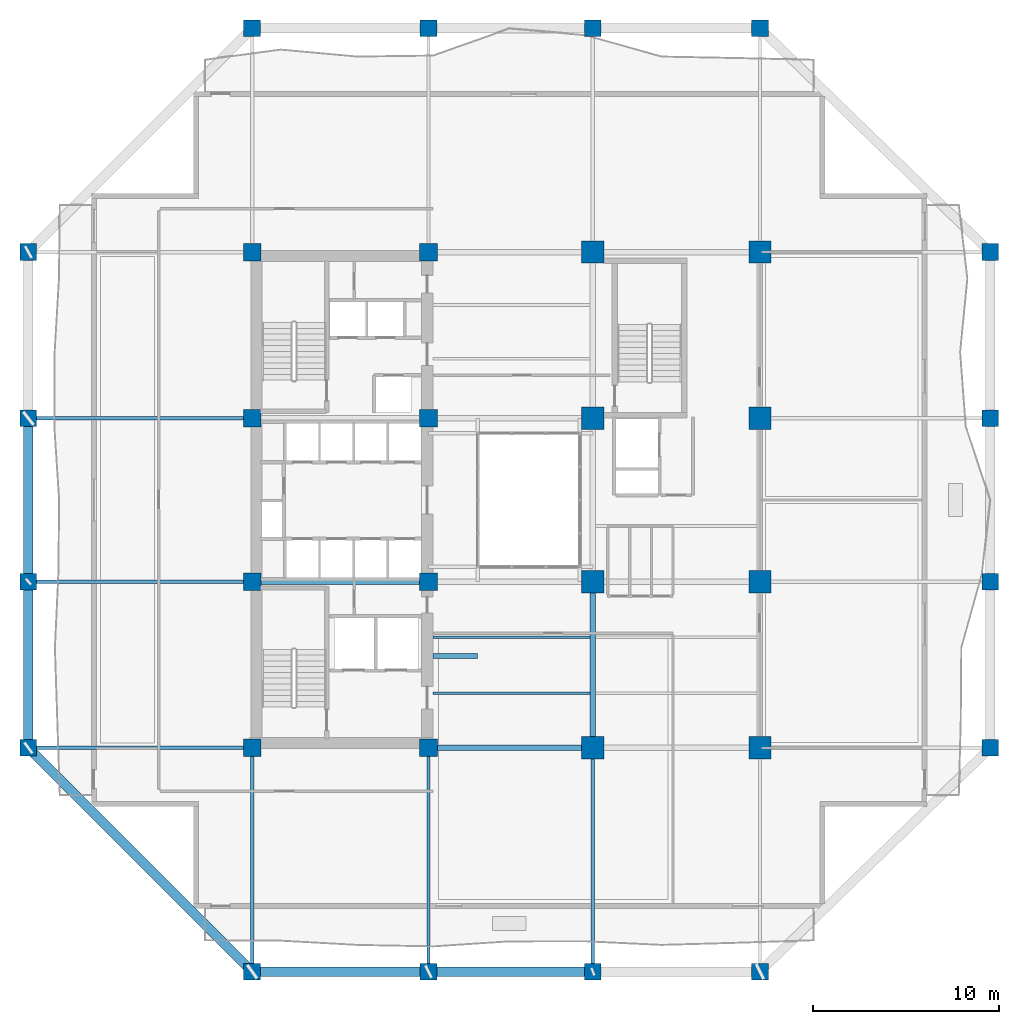
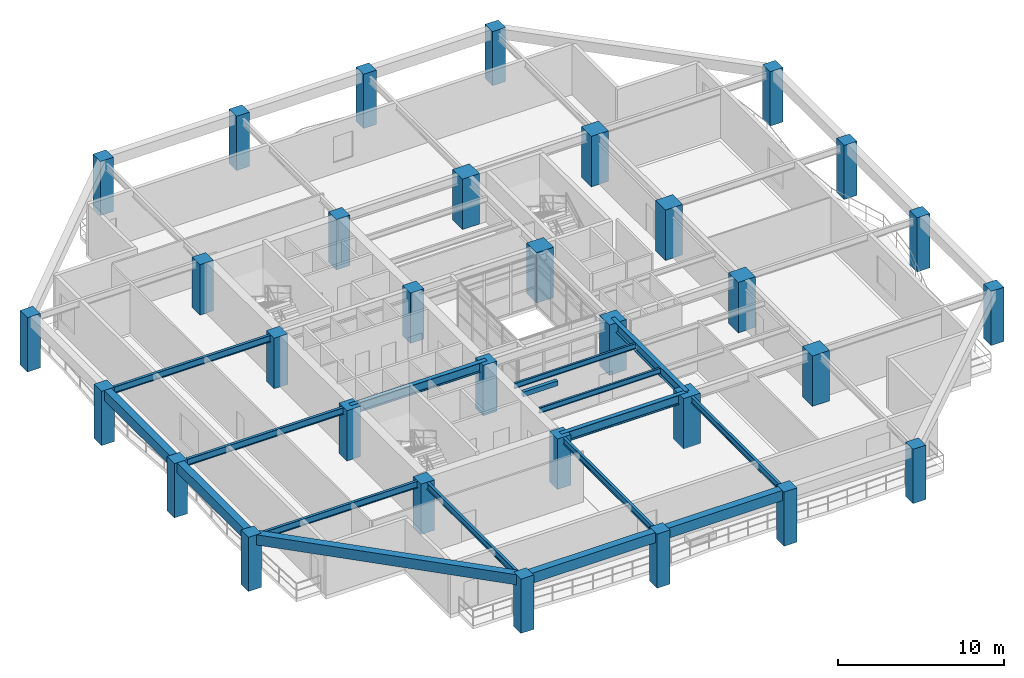
# One storey, part 1 of 17: 32 columns, 17 beams.
"""IFC4 building model written with IfcOpenShell, lengths in metres."""

from ifc_helpers import new_model, si_unit, direction, frame, origin, origin_2d, place, context, subcontext, project, spatial, rectangle, i_section, extrude, material, material_profile, profile_set, type_object, element, save


model = new_model("IFC4")

# Units and contexts
model_context = context("Model", 3, precision=1e-05, world=origin(), true_north=direction((0.0, 1.0)))
body_context = subcontext(model_context, "Body", "Model", "MODEL_VIEW")
ifc_project = project(units=[si_unit("LENGTHUNIT", "METRE"), si_unit("AREAUNIT", "SQUARE_METRE"), si_unit("VOLUMEUNIT", "CUBIC_METRE"), si_unit("PLANEANGLEUNIT", "RADIAN"), si_unit("MASSUNIT", "GRAM", prefix="KILO")], contexts=[model_context])

# Site, building, storey
site_placement = place(None, origin())
site = spatial("IfcSite", under=ifc_project, at=site_placement, CompositionType="ELEMENT")
building_placement = place(site_placement, origin())
building = spatial("IfcBuilding", under=site, at=building_placement, Name="Kundavana Baori Tower", CompositionType="ELEMENT")
storey_placement = place(building_placement, frame((0.0, 0.0, 26.0)))
storey = spatial("IfcBuildingStorey", under=building, at=storey_placement, Name="L05", CompositionType="ELEMENT", Elevation=26.0)

# Columns
ifc_material_1 = material(Name="Concrete C60/75", Category="concrete")
ifc_material_profile_1 = material_profile(ifc_material_1, rectangle(XDim=0.89990234375, YDim=0.89990234375, at=origin_2d()), Name="RC PF 900x900")
ifc_profile_set_1 = profile_set([ifc_material_profile_1], Name="Concrete C60/75")
column_type_1 = type_object("IfcColumnType", Name="COL-PF-900", PredefinedType="COLUMN", material=ifc_profile_set_1)
for number, where, z_axis, x_axis, name in (
    (1, (15.449951171875, 3.199951171875, 0.0), (0.0, 0.0, 1.0), (1.0, 0.0, 0.0), "L05 Stone-Clad Perimeter Frame Column PF-S1"),
    (2, (15.449951171875, 54.0, 0.0), (0.0, 0.0, 1.0), (1.0, 0.0, 0.0), "L05 Stone-Clad Perimeter Frame Column PF-N1"),
    (3, (24.949951171875, 3.199951171875, 0.0), (0.0, 0.0, 1.0), (1.0, 0.0, 0.0), "L05 Stone-Clad Perimeter Frame Column PF-S2"),
    (4, (24.949951171875, 54.0, 0.0), (0.0, 0.0, 1.0), (1.0, 0.0, 0.0), "L05 Stone-Clad Perimeter Frame Column PF-N2"),
    (5, (33.800048828125, 3.199951171875, 0.0), (0.0, 0.0, 1.0), (1.0, 0.0, 0.0), "L05 Stone-Clad Perimeter Frame Column PF-S3"),
    (6, (33.800048828125, 54.0, 0.0), (0.0, 0.0, 1.0), (1.0, 0.0, 0.0), "L05 Stone-Clad Perimeter Frame Column PF-N3"),
    (7, (42.800048828125, 3.199951171875, 0.0), (0.0, 0.0, 1.0), (1.0, 0.0, 0.0), "L05 Stone-Clad Perimeter Frame Column PF-S4"),
    (8, (42.800048828125, 54.0, 0.0), (0.0, 0.0, 1.0), (1.0, 0.0, 0.0), "L05 Stone-Clad Perimeter Frame Column PF-N4"),
    (9, (3.39990234375, 15.25, 0.0), (0.0, 0.0, 1.0), (1.0, 0.0, 0.0), "L05 Stone-Clad Perimeter Frame Column PF-W1"),
    (10, (55.199951171875, 15.25, 0.0), (0.0, 0.0, 1.0), (1.0, 0.0, 0.0), "L05 Stone-Clad Perimeter Frame Column PF-E1"),
    (11, (3.39990234375, 24.199951171875, 0.0), (0.0, 0.0, 1.0), (1.0, 0.0, 0.0), "L05 Stone-Clad Perimeter Frame Column PF-W2"),
    (12, (55.199951171875, 24.199951171875, 0.0), (0.0, 0.0, 1.0), (1.0, 0.0, 0.0), "L05 Stone-Clad Perimeter Frame Column PF-E2"),
    (13, (3.39990234375, 33.0, 0.0), (0.0, 0.0, 1.0), (1.0, 0.0, 0.0), "L05 Stone-Clad Perimeter Frame Column PF-W3"),
    (14, (55.199951171875, 33.0, 0.0), (0.0, 0.0, 1.0), (1.0, 0.0, 0.0), "L05 Stone-Clad Perimeter Frame Column PF-E3"),
    (15, (3.39990234375, 41.949951171875, 0.0), (0.0, 0.0, 1.0), (1.0, 0.0, 0.0), "L05 Stone-Clad Perimeter Frame Column PF-W4"),
    (16, (55.199951171875, 41.949951171875, 0.0), (0.0, 0.0, 1.0), (1.0, 0.0, 0.0), "L05 Stone-Clad Perimeter Frame Column PF-E4"),
):
    element("IfcColumn", number, at=place(storey_placement, frame(where, z_axis=z_axis, x_axis=x_axis)), inside=storey, type_object=column_type_1, Name=name, PredefinedType="COLUMN", context=body_context, shape_type="SweptSolid", body=[
        extrude(rectangle(XDim=0.89990234375, YDim=0.89990234375, at=origin_2d()), origin(), (0.0, 0.0, 1.0), 4.0),
    ])
ifc_material_2 = material(Name="Concrete C60/75", Category="concrete")
ifc_material_profile_2 = material_profile(ifc_material_2, rectangle(XDim=1.199951171875, YDim=1.199951171875, at=origin_2d()), Name="RC 1200x1200")
ifc_profile_set_2 = profile_set([ifc_material_profile_2], Name="Concrete C60/75")
column_type_2 = type_object("IfcColumnType", Name="COL-RC-1200", PredefinedType="COLUMN", material=ifc_profile_set_2)
for number, where, z_axis, x_axis, name in (
    (17, (33.800048828125, 15.25, 0.0), (0.0, 0.0, 1.0), (1.0, 0.0, 0.0), "L05 Interior Column IC-5C"),
    (18, (33.800048828125, 24.199951171875, 0.0), (0.0, 0.0, 1.0), (1.0, 0.0, 0.0), "L05 Interior Column IC-5D"),
    (19, (33.800048828125, 33.0, 0.0), (0.0, 0.0, 1.0), (1.0, 0.0, 0.0), "L05 Interior Column IC-5E"),
    (20, (33.800048828125, 41.949951171875, 0.0), (0.0, 0.0, 1.0), (1.0, 0.0, 0.0), "L05 Interior Column IC-5F"),
    (21, (42.800048828125, 15.25, 0.0), (0.0, 0.0, 1.0), (1.0, 0.0, 0.0), "L05 Interior Column IC-6C"),
    (22, (42.800048828125, 24.199951171875, 0.0), (0.0, 0.0, 1.0), (1.0, 0.0, 0.0), "L05 Interior Column IC-6D"),
    (23, (42.800048828125, 33.0, 0.0), (0.0, 0.0, 1.0), (1.0, 0.0, 0.0), "L05 Interior Column IC-6E"),
    (24, (42.800048828125, 41.949951171875, 0.0), (0.0, 0.0, 1.0), (1.0, 0.0, 0.0), "L05 Interior Column IC-6F"),
):
    element("IfcColumn", number, at=place(storey_placement, frame(where, z_axis=z_axis, x_axis=x_axis)), inside=storey, type_object=column_type_2, Name=name, PredefinedType="COLUMN", context=body_context, shape_type="SweptSolid", body=[
        extrude(rectangle(XDim=1.199951171875, YDim=1.199951171875, at=origin_2d()), origin(), (0.0, 0.0, 1.0), 3.719970703125),
    ])
ifc_material_3 = material(Name="Concrete C50/60", Category="concrete")
ifc_material_profile_3 = material_profile(ifc_material_3, rectangle(XDim=0.949951171875, YDim=0.949951171875, at=origin_2d()), Name="RC 950x950")
ifc_profile_set_3 = profile_set([ifc_material_profile_3], Name="Concrete C50/60")
column_type_3 = type_object("IfcColumnType", Name="COL-RC-950", PredefinedType="COLUMN", material=ifc_profile_set_3)
for number, where, z_axis, x_axis, name in (
    (25, (15.449951171875, 15.25, 0.0), (0.0, 0.0, 1.0), (1.0, 0.0, 0.0), "L05 Interior Column IC-3C"),
    (26, (15.449951171875, 24.199951171875, 0.0), (0.0, 0.0, 1.0), (1.0, 0.0, 0.0), "L05 Interior Column IC-3D"),
    (27, (15.449951171875, 33.0, 0.0), (0.0, 0.0, 1.0), (1.0, 0.0, 0.0), "L05 Interior Column IC-3E"),
    (28, (15.449951171875, 41.949951171875, 0.0), (0.0, 0.0, 1.0), (1.0, 0.0, 0.0), "L05 Interior Column IC-3F"),
    (29, (24.949951171875, 15.25, 0.0), (0.0, 0.0, 1.0), (1.0, 0.0, 0.0), "L05 Interior Column IC-4C"),
    (30, (24.949951171875, 24.199951171875, 0.0), (0.0, 0.0, 1.0), (1.0, 0.0, 0.0), "L05 Interior Column IC-4D"),
    (31, (24.949951171875, 33.0, 0.0), (0.0, 0.0, 1.0), (1.0, 0.0, 0.0), "L05 Interior Column IC-4E"),
    (32, (24.949951171875, 41.949951171875, 0.0), (0.0, 0.0, 1.0), (1.0, 0.0, 0.0), "L05 Interior Column IC-4F"),
):
    element("IfcColumn", number, at=place(storey_placement, frame(where, z_axis=z_axis, x_axis=x_axis)), inside=storey, type_object=column_type_3, Name=name, PredefinedType="COLUMN", context=body_context, shape_type="SweptSolid", body=[
        extrude(rectangle(XDim=0.949951171875, YDim=0.949951171875, at=origin_2d()), origin(), (0.0, 0.0, 1.0), 3.719970703125),
    ])

# Beams
ifc_material_4 = material(Name="Structural Steel S355JR", Category="steel")
ifc_material_profile_4 = material_profile(ifc_material_4, i_section(OverallWidth=0.139892578125, OverallDepth=0.39990234375, WebThickness=0.0087890625, FlangeThickness=0.01611328125, FilletRadius=0.013916015625, at=origin_2d()), Name="ISMB 400")
ifc_profile_set_4 = profile_set([ifc_material_profile_4], Name="Structural Steel S355JR")
beam_type_1 = type_object("IfcBeamType", Name="BM-JST-400", PredefinedType="JOIST", material=ifc_profile_set_4)
for number, where, z_axis, x_axis, name in (
    (33, (25.179931640625, 18.199951171875, 3.52001953125), (1.0, 0.0, 0.0), (0.0, 1.0, 0.0), "L05 Central Bay Composite Floor Joist C1"),
    (34, (25.179931640625, 21.199951171875, 3.52001953125), (1.0, 0.0, 0.0), (0.0, 1.0, 0.0), "L05 Central Bay Composite Floor Joist C2"),
):
    element("IfcBeam", number, at=place(storey_placement, frame(where, z_axis=z_axis, x_axis=x_axis)), inside=storey, type_object=beam_type_1, Name=name, PredefinedType="JOIST", context=body_context, shape_type="SweptSolid", body=[
        extrude(i_section(OverallWidth=0.139892578125, OverallDepth=0.39990234375, WebThickness=0.0087890625, FlangeThickness=0.01611328125, FilletRadius=0.013916015625, at=origin_2d()), origin(), (0.0, 0.0, 1.0), 8.469970703125),
    ])
ifc_material_5 = material(Name="Concrete C40/50", Category="concrete")
ifc_material_profile_5 = material_profile(ifc_material_5, rectangle(XDim=0.25, YDim=0.35009765625, at=origin_2d()), Name="RC LNT 250x350")
ifc_profile_set_5 = profile_set([ifc_material_profile_5], Name="Concrete C40/50")
beam_type_2 = type_object("IfcBeamType", Name="BM-LNT-350", PredefinedType="LINTEL", material=ifc_profile_set_5)
beam_1_placement = place(storey_placement, frame((25.179931640625, 20.199951171875, 3.544921875), z_axis=(1.0, 0.0, 0.0), x_axis=(0.0, 1.0, 0.0)))
element("IfcBeam", 35, at=beam_1_placement, inside=storey, type_object=beam_type_2, Name="L05 Atrium Gallery Portal Lintel Beam", PredefinedType="LINTEL", context=body_context, shape_type="SweptSolid", body=[
    extrude(rectangle(XDim=0.25, YDim=0.35009765625, at=origin_2d()), origin(), (0.0, 0.0, 1.0), 2.420166015625),
])
ifc_material_6 = material(Name="Concrete C50/60", Category="concrete")
ifc_material_profile_6 = material_profile(ifc_material_6, rectangle(XDim=0.5, YDim=0.75, at=origin_2d()), Name="RC BM 500x750")
ifc_profile_set_6 = profile_set([ifc_material_profile_6], Name="Concrete C50/60")
beam_type_3 = type_object("IfcBeamType", Name="BM-PF-750", PredefinedType="SPANDREL", material=ifc_profile_set_6)
beam_2_placement = place(storey_placement, frame((15.449951171875, 3.199951171875, 3.625), z_axis=(1.0, 0.0, 0.0), x_axis=(0.0, 1.0, 0.0)))
element("IfcBeam", 36, at=beam_2_placement, inside=storey, type_object=beam_type_3, Name="L05 Perimeter Frame Ring Beam S1", PredefinedType="SPANDREL", context=body_context, shape_type="SweptSolid", body=[
    extrude(rectangle(XDim=0.5, YDim=0.75, at=origin_2d()), origin(), (0.0, 0.0, 1.0), 9.5),
])
beam_3_placement = place(storey_placement, frame((24.949951171875, 3.199951171875, 3.625), z_axis=(1.0, 0.0, 0.0), x_axis=(0.0, 1.0, 0.0)))
element("IfcBeam", 37, at=beam_3_placement, inside=storey, type_object=beam_type_3, Name="L05 Perimeter Frame Ring Beam S2", PredefinedType="SPANDREL", context=body_context, shape_type="SweptSolid", body=[
    extrude(rectangle(XDim=0.5, YDim=0.75, at=origin_2d()), origin(), (0.0, 0.0, 1.0), 8.85009765625),
])
beam_4_placement = place(storey_placement, frame((3.39990234375, 15.25, 3.625), z_axis=(0.0, 1.0, 0.0), x_axis=(-1.0, 0.0, 0.0)))
element("IfcBeam", 38, at=beam_4_placement, inside=storey, type_object=beam_type_3, Name="L05 Perimeter Frame Ring Beam W1", PredefinedType="SPANDREL", context=body_context, shape_type="SweptSolid", body=[
    extrude(rectangle(XDim=0.5, YDim=0.75, at=origin_2d()), origin(), (0.0, 0.0, 1.0), 8.949951171875),
])
beam_5_placement = place(storey_placement, frame((3.39990234375, 24.199951171875, 3.625), z_axis=(0.0, 1.0, 0.0), x_axis=(-1.0, 0.0, 0.0)))
element("IfcBeam", 39, at=beam_5_placement, inside=storey, type_object=beam_type_3, Name="L05 Perimeter Frame Ring Beam W2", PredefinedType="SPANDREL", context=body_context, shape_type="SweptSolid", body=[
    extrude(rectangle(XDim=0.5, YDim=0.75, at=origin_2d()), origin(), (0.0, 0.0, 1.0), 8.800048828125),
])
beam_6_placement = place(storey_placement, frame((15.449951171875, 3.199951171875, 3.625), z_axis=(-0.707106781187, 0.707106781187, 0.0), x_axis=(-0.707106781187, -0.707106781187, 0.0)))
element("IfcBeam", 40, at=beam_6_placement, inside=storey, type_object=beam_type_3, Name="L05 Notched Corner Perimeter Beam SW", PredefinedType="SPANDREL", context=body_context, shape_type="SweptSolid", body=[
    extrude(rectangle(XDim=0.5, YDim=0.75, at=origin_2d()), origin(), (0.0, 0.0, 1.0), 17.041259765625),
])
ifc_material_7 = material(Name="Structural Steel S355JR", Category="steel")
ifc_material_profile_7 = material_profile(ifc_material_7, i_section(OverallWidth=0.300048828125, OverallDepth=0.699951171875, WebThickness=0.014404296875, FlangeThickness=0.02392578125, FilletRadius=0.02392578125, at=origin_2d()), Name="NPB 700x300x170")
ifc_profile_set_7 = profile_set([ifc_material_profile_7], Name="Structural Steel S355JR")
beam_type_4 = type_object("IfcBeamType", Name="BM-ST-700", PredefinedType="BEAM", material=ifc_profile_set_7)
beam_7_placement = place(storey_placement, frame((24.949951171875, 15.25, 3.3701171875), z_axis=(1.0, 0.0, 0.0), x_axis=(0.0, 1.0, 0.0)))
element("IfcBeam", 41, at=beam_7_placement, inside=storey, type_object=beam_type_4, Name="L05 Primary Grid Girder GX-1-2", PredefinedType="BEAM", context=body_context, shape_type="SweptSolid", body=[
    extrude(i_section(OverallWidth=0.300048828125, OverallDepth=0.699951171875, WebThickness=0.014404296875, FlangeThickness=0.02392578125, FilletRadius=0.02392578125, at=origin_2d()), origin(), (0.0, 0.0, 1.0), 8.85009765625),
])
beam_8_placement = place(storey_placement, frame((15.449951171875, 24.199951171875, 3.3701171875), z_axis=(1.0, 0.0, 0.0), x_axis=(0.0, 1.0, 0.0)))
element("IfcBeam", 42, at=beam_8_placement, inside=storey, type_object=beam_type_4, Name="L05 Primary Grid Girder GX-2-1", PredefinedType="BEAM", context=body_context, shape_type="SweptSolid", body=[
    extrude(i_section(OverallWidth=0.300048828125, OverallDepth=0.699951171875, WebThickness=0.014404296875, FlangeThickness=0.02392578125, FilletRadius=0.02392578125, at=origin_2d()), origin(), (0.0, 0.0, 1.0), 9.5),
])
beam_9_placement = place(storey_placement, frame((33.800048828125, 15.25, 3.3701171875), z_axis=(0.0, 1.0, 0.0), x_axis=(-1.0, 0.0, 0.0)))
element("IfcBeam", 43, at=beam_9_placement, inside=storey, type_object=beam_type_4, Name="L05 Primary Grid Girder GY-3-1", PredefinedType="BEAM", context=body_context, shape_type="SweptSolid", body=[
    extrude(i_section(OverallWidth=0.300048828125, OverallDepth=0.699951171875, WebThickness=0.014404296875, FlangeThickness=0.02392578125, FilletRadius=0.02392578125, at=origin_2d()), origin(), (0.0, 0.0, 1.0), 8.949951171875),
])
ifc_material_8 = material(Name="Structural Steel S355JR", Category="steel")
ifc_material_profile_8 = material_profile(ifc_material_8, i_section(OverallWidth=0.179931640625, OverallDepth=0.5, WebThickness=0.01025390625, FlangeThickness=0.01708984375, FilletRadius=0.01708984375, at=origin_2d()), Name="ISMB 500")
ifc_profile_set_8 = profile_set([ifc_material_profile_8], Name="Structural Steel S355JR")
beam_type_5 = type_object("IfcBeamType", Name="BM-TIE-500", PredefinedType="BEAM", material=ifc_profile_set_8)
for number, where, z_axis, x_axis, name in (
    (44, (15.449951171875, 15.25, 3.469970703125), (0.0, -1.0, 0.0), (1.0, 0.0, 0.0), "L05 South Radial Loggia Tie Beam S1"),
    (45, (24.949951171875, 15.25, 3.469970703125), (0.0, -1.0, 0.0), (1.0, 0.0, 0.0), "L05 South Radial Loggia Tie Beam S2"),
    (46, (33.800048828125, 15.25, 3.469970703125), (0.0, -1.0, 0.0), (1.0, 0.0, 0.0), "L05 South Radial Loggia Tie Beam S3"),
    (47, (15.449951171875, 15.25, 3.469970703125), (-1.0, 0.0, 0.0), (0.0, -1.0, 0.0), "L05 West Radial Loggia Tie Beam W1"),
    (48, (15.449951171875, 24.199951171875, 3.469970703125), (-1.0, 0.0, 0.0), (0.0, -1.0, 0.0), "L05 West Radial Loggia Tie Beam W2"),
    (49, (15.449951171875, 33.0, 3.469970703125), (-1.0, 0.0, 0.0), (0.0, -1.0, 0.0), "L05 West Radial Loggia Tie Beam W3"),
):
    element("IfcBeam", number, at=place(storey_placement, frame(where, z_axis=z_axis, x_axis=x_axis)), inside=storey, type_object=beam_type_5, Name=name, PredefinedType="BEAM", context=body_context, shape_type="SweptSolid", body=[
        extrude(i_section(OverallWidth=0.179931640625, OverallDepth=0.5, WebThickness=0.01025390625, FlangeThickness=0.01708984375, FilletRadius=0.01708984375, at=origin_2d()), origin(), (0.0, 0.0, 1.0), 12.050048828125),
    ])

save(model, "model.ifc")
